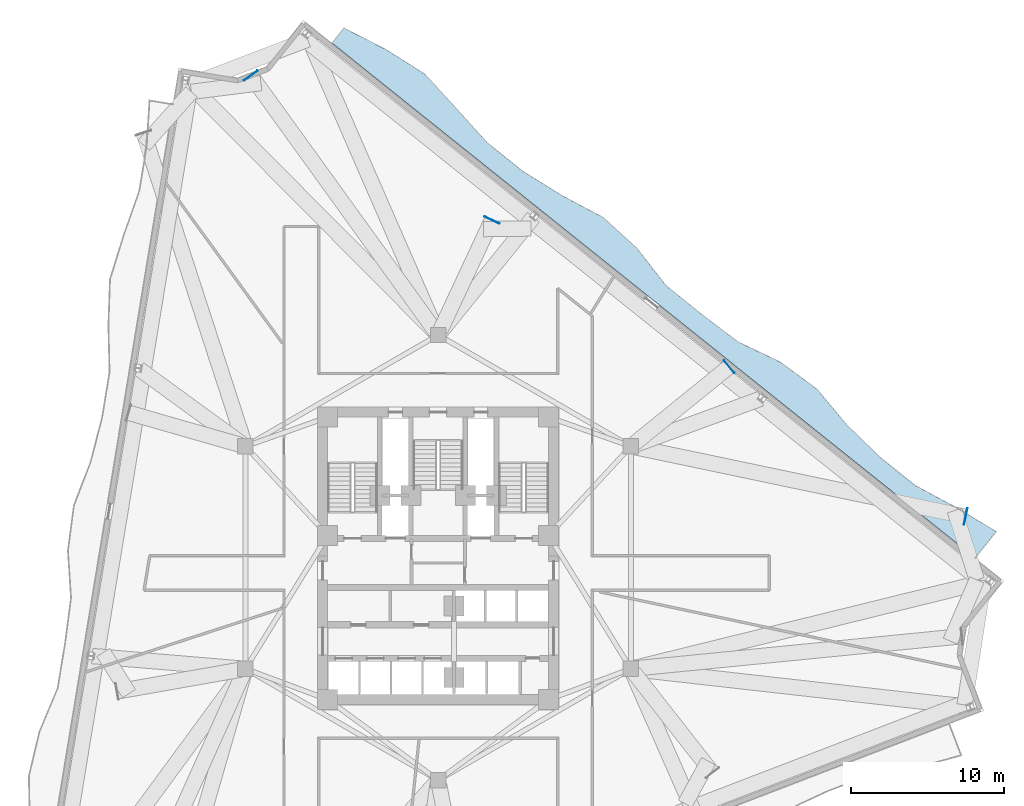
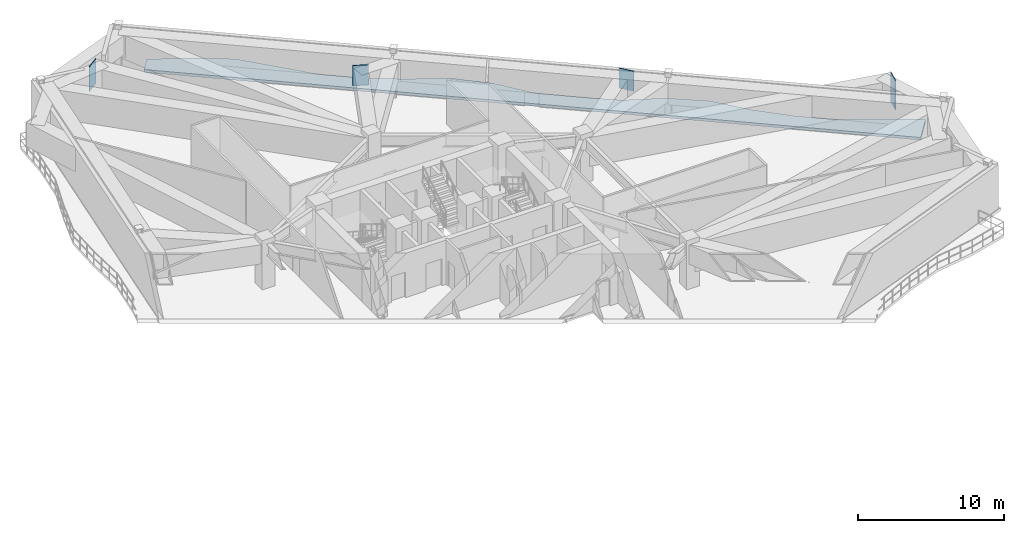
# One storey, part 6 of 14: 4 plates, 1 slab.
"""IFC4 building model written with IfcOpenShell, lengths in metres."""

from ifc_helpers import new_model, si_unit, direction, frame, origin, origin_2d, place, context, subcontext, project, spatial, polyline, rectangle, outline, extrude, material, layer, layer_set, type_object, element, save


model = new_model("IFC4")

# Units and contexts
model_context = context("Model", 3, precision=1e-05, world=origin(), true_north=direction((0.0, 1.0)))
body_context = subcontext(model_context, "Body", "Model", "MODEL_VIEW")
ifc_project = project(units=[si_unit("LENGTHUNIT", "METRE"), si_unit("AREAUNIT", "SQUARE_METRE"), si_unit("VOLUMEUNIT", "CUBIC_METRE"), si_unit("PLANEANGLEUNIT", "RADIAN"), si_unit("MASSUNIT", "GRAM", prefix="KILO")], contexts=[model_context])

# Site, building, storey
site_placement = place(None, origin())
site = spatial("IfcSite", under=ifc_project, at=site_placement, CompositionType="ELEMENT")
building_placement = place(site_placement, origin())
building = spatial("IfcBuilding", under=site, at=building_placement, Name="Apsidion Concourse Tower", CompositionType="ELEMENT")
storey_placement = place(building_placement, frame((0.0, 0.0, 156.800048828125)))
storey = spatial("IfcBuildingStorey", under=building, at=storey_placement, Name="L36", CompositionType="ELEMENT", Elevation=156.800048828125)

# Plates
ifc_material_1 = material(Name="Structural steel ASTM A572 Grade 50", Category="steel")
ifc_layer_1 = layer(ifc_material_1, 0.034912109375)
ifc_layer_set_1 = layer_set([ifc_layer_1], Name="Structural steel ASTM A572 Grade 50")
plate_type = type_object("IfcPlateType", Name="PL-ENDCAP-35", PredefinedType="USERDEFINED", material=ifc_layer_set_1)
plate_1_placement = place(storey_placement, frame((34.37109375, 2.67626953125, 1.260009765625), z_axis=(0.0, 0.0, 1.0), x_axis=(0.978724385053, -0.205179380307, 0.0)))
element("IfcPlate", 1, at=plate_1_placement, inside=storey, type_object=plate_type, Name="L36 Radial Transfer Girder End-Cap Plate NTRCAP-09", ObjectType="FLANGE_PLATE", PredefinedType="USERDEFINED", context=body_context, shape_type="SweptSolid", body=[
    extrude(rectangle(XDim=0.044921875, YDim=1.080078125, at=origin_2d()), origin(), (0.0, 0.0, 1.0), 2.47998046875),
])
for number, where, z_axis, x_axis, name in (
    (2, (18.964599609375, 12.434814453125, 2.06005859375), (0.0, 0.0, 1.0), (0.777255786749, 0.629184743907, 0.0), "L36 Radial Transfer Girder End-Cap Plate NTRCAP-10"),
    (3, (3.502197265625, 21.98828125, 2.06005859375), (0.0, 0.0, 1.0), (0.423725209904, 0.905790785166, 0.0), "L36 Radial Transfer Girder End-Cap Plate NTRCAP-11"),
):
    element("IfcPlate", number, at=place(storey_placement, frame(where, z_axis=z_axis, x_axis=x_axis)), inside=storey, type_object=plate_type, Name=name, ObjectType="FLANGE_PLATE", PredefinedType="USERDEFINED", context=body_context, shape_type="SweptSolid", body=[
        extrude(rectangle(XDim=0.044921875, YDim=1.080078125, at=origin_2d()), origin(), (0.0, 0.0, 1.0), 1.679931640625),
    ])
plate_2_placement = place(storey_placement, frame((-12.201171875, 31.405029296875, 1.659912109375), z_axis=(0.0, 0.0, 1.0), x_axis=(-0.585240754026, 0.810859580832, 0.0)))
element("IfcPlate", 4, at=plate_2_placement, inside=storey, type_object=plate_type, Name="L36 Radial Transfer Girder End-Cap Plate NTRCAP-12", ObjectType="FLANGE_PLATE", PredefinedType="USERDEFINED", context=body_context, shape_type="SweptSolid", body=[
    extrude(rectangle(XDim=0.044921875, YDim=1.080078125, at=origin_2d()), origin(), (0.0, 0.0, 1.0), 2.080078125),
])

# Slab
ifc_material_2 = material(Name="Concrete C50/60", Category="concrete")
ifc_layer_2 = layer(ifc_material_2, 0.219970703125)
ifc_layer_set_2 = layer_set([ifc_layer_2], Name="Concrete C50/60")
slab_type = type_object("IfcSlabType", Name="SL-BAL-220", PredefinedType="FLOOR", material=ifc_layer_set_2)
slab_placement = place(storey_placement, frame((0.0, 0.0, -0.219970703125)))
element("IfcSlab", 5, at=slab_placement, inside=storey, type_object=slab_type, Name="L36 Face 3 Rippling Balcony Slab", PredefinedType="FLOOR", context=body_context, shape_type="SweptSolid", body=[
    extrude(outline(polyline([(34.997314453125, -0.025634765625), (32.668701171875, 1.83837890625), (30.33984375, 3.70263671875), (28.01123046875, 5.56689453125), (25.6826171875, 7.430908203125), (23.353759765625, 9.295166015625), (21.025146484375, 11.159423828125), (18.6962890625, 13.023681640625), (16.36767578125, 14.8876953125), (14.0390625, 16.751953125), (11.71044921875, 18.6162109375), (9.381591796875, 20.480224609375), (7.052978515625, 22.344482421875), (4.724365234375, 24.208740234375), (2.3955078125, 26.072998046875), (0.06689453125, 27.93701171875), (-2.26171875, 29.80126953125), (-4.590576171875, 31.665283203125), (-6.919189453125, 33.529541015625), (-6.137939453125, 34.505615234375), (-3.4248046875, 33.12158203125), (-0.889404296875, 31.515869140625), (1.152587890625, 29.293212890625), (3.1767578125, 27.048583984375), (5.505615234375, 25.1845703125), (8.05419921875, 23.59521484375), (10.736083984375, 22.172119140625), (12.9462890625, 20.16015625), (14.829833984375, 17.739990234375), (17.14892578125, 15.863525390625), (19.52734375, 14.0615234375), (22.292236328125, 12.742431640625), (24.6923828125, 10.96728515625), (26.640380859375, 8.62744140625), (28.79248046875, 6.542724609375), (31.12109375, 4.678466796875), (33.795166015625, 3.245849609375), (36.372314453125, 1.691650390625), (34.997314453125, -0.025634765625)])), origin(), (0.0, 0.0, 1.0), 0.219970703125),
])

save(model, "model.ifc")
